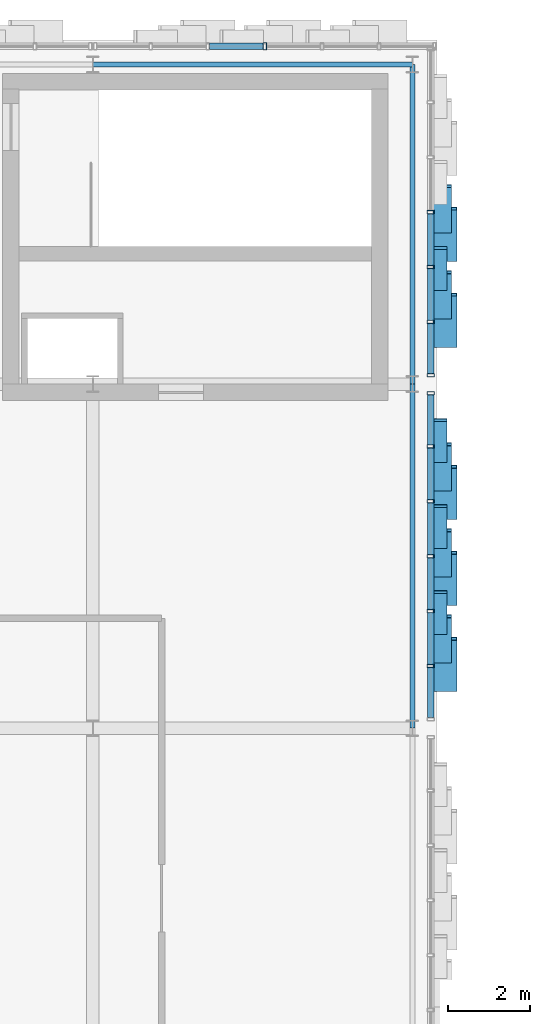
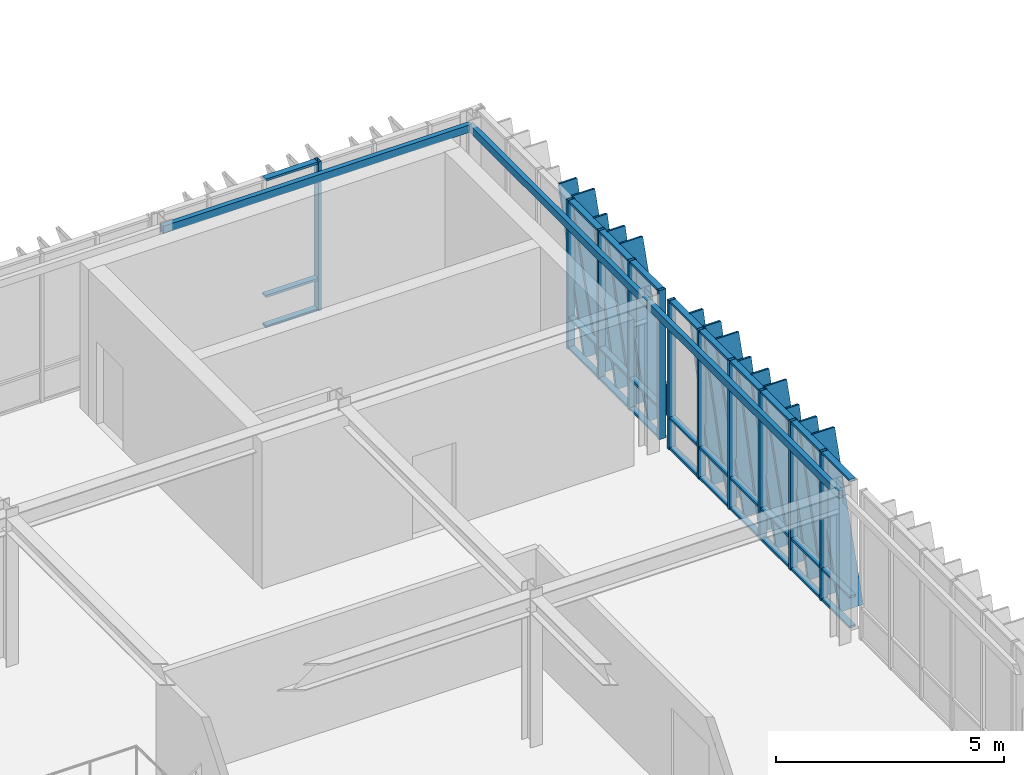
# One storey, part 63 of 123: 55 members, 3 beams, 3 elements without a shape of their own.
"""IFC4 building model written with IfcOpenShell, lengths in metres."""

from ifc_helpers import new_model, si_unit, direction, frame, origin, origin_2d, place, context, subcontext, project, spatial, hollow_rectangle, extrude, material, layer, layer_set, material_profile, profile_set, type_object, element, aggregate, save


model = new_model("IFC4")

# Units and contexts
model_context = context("Model", 3, precision=1e-05, world=origin(), true_north=direction((0.0, 1.0)))
body_context = subcontext(model_context, "Body", "Model", "MODEL_VIEW")
ifc_project = project(units=[si_unit("LENGTHUNIT", "METRE"), si_unit("AREAUNIT", "SQUARE_METRE"), si_unit("VOLUMEUNIT", "CUBIC_METRE"), si_unit("PLANEANGLEUNIT", "RADIAN"), si_unit("MASSUNIT", "GRAM", prefix="KILO")], contexts=[model_context])

# Site, building, storey
site_placement = place(None, origin())
site = spatial("IfcSite", under=ifc_project, at=site_placement, CompositionType="ELEMENT")
building_placement = place(site_placement, origin())
building = spatial("IfcBuilding", under=site, at=building_placement, Name="Zayran Congress Hotel", CompositionType="ELEMENT")
storey_placement = place(building_placement, frame((0.0, 0.0, 15.0)))
storey = spatial("IfcBuildingStorey", under=building, at=storey_placement, Name="L03", CompositionType="ELEMENT", Elevation=15.0)

# Beams
ifc_material_1 = material(Name="Steel S355", Category="steel")
ifc_material_profile_1 = material_profile(ifc_material_1, hollow_rectangle(XDim=0.1201171875, YDim=0.199951171875, WallThickness=0.008056640625, at=origin_2d()), Name="RHS 200x120x8")
ifc_profile_set_1 = profile_set([ifc_material_profile_1], Name="Steel S355")
beam_type = type_object("IfcBeamType", Name="TP-SP-02", PredefinedType="SPANDREL", material=ifc_profile_set_1)
beam_1_placement = place(storey_placement, frame((84.0, 117.39990234375, 3.8798828125), z_axis=(1.0, 0.0, 0.0), x_axis=(0.0, 1.0, 0.0)))
element("IfcBeam", 1, at=beam_1_placement, inside=storey, type_object=beam_type, Name="BM-V1-L03-0848", PredefinedType="SPANDREL", context=body_context, shape_type="SweptSolid", body=[
    extrude(hollow_rectangle(XDim=0.1201171875, YDim=0.199951171875, WallThickness=0.008056640625, at=origin_2d()), origin(), (0.0, 0.0, 1.0), 7.800048828125),
])
beam_2_placement = place(storey_placement, frame((91.800048828125, 101.199951171875, 3.8798828125), z_axis=(0.0, 1.0, 0.0), x_axis=(-1.0, 0.0, 0.0)))
element("IfcBeam", 2, at=beam_2_placement, inside=storey, type_object=beam_type, Name="BM-V1-L03-0894", PredefinedType="SPANDREL", context=body_context, shape_type="SweptSolid", body=[
    extrude(hollow_rectangle(XDim=0.1201171875, YDim=0.199951171875, WallThickness=0.008056640625, at=origin_2d()), origin(), (0.0, 0.0, 1.0), 8.400146484375),
])
beam_3_placement = place(storey_placement, frame((91.800048828125, 109.60009765625, 3.8798828125), z_axis=(0.0, 1.0, 0.0), x_axis=(-1.0, 0.0, 0.0)))
element("IfcBeam", 3, at=beam_3_placement, inside=storey, type_object=beam_type, Name="BM-V1-L03-0895", PredefinedType="SPANDREL", context=body_context, shape_type="SweptSolid", body=[
    extrude(hollow_rectangle(XDim=0.1201171875, YDim=0.199951171875, WallThickness=0.008056640625, at=origin_2d()), origin(), (0.0, 0.0, 1.0), 7.7998046875),
])

# Curtain wall, member
ifc_material_2 = material(Name="Anodised aluminium and low-E insulated glass", Category="aluminium")
ifc_layer_1 = layer(ifc_material_2, 0.179931640625)
ifc_layer_set_1 = layer_set([ifc_layer_1], Name="Anodised aluminium and low-E insulated glass")
curtain_wall_type_1 = type_object("IfcCurtainWallType", Name="CW-V1N-L03-CW-21-8360-3980", PredefinedType="USERDEFINED", material=ifc_layer_set_1)
curtain_wall_1_placement = place(storey_placement, origin())
curtain_wall_1 = element("IfcCurtainWall", 4, at=curtain_wall_1_placement, inside=storey, type_object=curtain_wall_type_1, Name="CW-V1N-L03-9", ObjectType="CURTAIN WALL", PredefinedType="USERDEFINED")
ifc_material_3 = material(Name="Anodised aluminium framing", Category="aluminium")
ifc_material_profile_2 = material_profile(ifc_material_3, hollow_rectangle(XDim=0.080078125, YDim=0.179931640625, WallThickness=0.0048828125, at=origin_2d()), Name="RHS 180x80x5")
ifc_profile_set_2 = profile_set([ifc_material_profile_2], Name="Anodised aluminium framing")
member_type_1 = type_object("IfcMemberType", Name="TP-CWM-01", PredefinedType="MULLION", material=ifc_profile_set_2)
member_1_placement = place(storey_placement, frame((88.199951171875, 117.85009765625, 0.0), z_axis=(0.0, 0.0, 1.0), x_axis=(1.0, 0.0, 0.0)))
member_1 = element("IfcMember", 5, at=member_1_placement, type_object=member_type_1, Name="CW-V1N-L03-9-M03", PredefinedType="MULLION", context=body_context, shape_type="SweptSolid", body=[
    extrude(hollow_rectangle(XDim=0.080078125, YDim=0.179931640625, WallThickness=0.0048828125, at=origin_2d()), origin(), (0.0, 0.0, 1.0), 3.97998046875),
])

# Curtain wall, members
ifc_layer_2 = layer(ifc_material_2, 0.179931640625)
ifc_layer_set_2 = layer_set([ifc_layer_2], Name="Anodised aluminium and low-E insulated glass")
curtain_wall_type_2 = type_object("IfcCurtainWallType", Name="CW-V1E-L03-CW-41-8040-3980", PredefinedType="USERDEFINED", material=ifc_layer_set_2)
curtain_wall_2_placement = place(storey_placement, origin())
curtain_wall_2 = element("IfcCurtainWall", 6, at=curtain_wall_2_placement, inside=storey, type_object=curtain_wall_type_2, Name="CW-V1E-L03-4", ObjectType="CURTAIN WALL", PredefinedType="USERDEFINED")
member_2_placement = place(storey_placement, frame((92.25, 102.719970703125, 0.0), z_axis=(0.0, 0.0, 1.0), x_axis=(0.0, 1.0, 0.0)))
member_2 = element("IfcMember", 7, at=member_2_placement, type_object=member_type_1, Name="CW-V1E-L03-4-M01", PredefinedType="MULLION", context=body_context, shape_type="SweptSolid", body=[
    extrude(hollow_rectangle(XDim=0.080078125, YDim=0.179931640625, WallThickness=0.0048828125, at=origin_2d()), origin(), (0.0, 0.0, 1.0), 3.97998046875),
])
member_3_placement = place(storey_placement, frame((92.25, 104.06005859375, 0.0), z_axis=(0.0, 0.0, 1.0), x_axis=(0.0, 1.0, 0.0)))
member_3 = element("IfcMember", 8, at=member_3_placement, type_object=member_type_1, Name="CW-V1E-L03-4-M02", PredefinedType="MULLION", context=body_context, shape_type="SweptSolid", body=[
    extrude(hollow_rectangle(XDim=0.080078125, YDim=0.179931640625, WallThickness=0.0048828125, at=origin_2d()), origin(), (0.0, 0.0, 1.0), 3.97998046875),
])
member_4_placement = place(storey_placement, frame((92.25, 105.39990234375, 0.0), z_axis=(0.0, 0.0, 1.0), x_axis=(0.0, 1.0, 0.0)))
member_4 = element("IfcMember", 9, at=member_4_placement, type_object=member_type_1, Name="CW-V1E-L03-4-M03", PredefinedType="MULLION", context=body_context, shape_type="SweptSolid", body=[
    extrude(hollow_rectangle(XDim=0.080078125, YDim=0.179931640625, WallThickness=0.0048828125, at=origin_2d()), origin(), (0.0, 0.0, 1.0), 3.97998046875),
])
member_5_placement = place(storey_placement, frame((92.25, 106.739990234375, 0.0), z_axis=(0.0, 0.0, 1.0), x_axis=(0.0, 1.0, 0.0)))
member_5 = element("IfcMember", 10, at=member_5_placement, type_object=member_type_1, Name="CW-V1E-L03-4-M04", PredefinedType="MULLION", context=body_context, shape_type="SweptSolid", body=[
    extrude(hollow_rectangle(XDim=0.080078125, YDim=0.179931640625, WallThickness=0.0048828125, at=origin_2d()), origin(), (0.0, 0.0, 1.0), 3.97998046875),
])
member_6_placement = place(storey_placement, frame((92.25, 108.080078125, 0.0), z_axis=(0.0, 0.0, 1.0), x_axis=(0.0, 1.0, 0.0)))
member_6 = element("IfcMember", 11, at=member_6_placement, type_object=member_type_1, Name="CW-V1E-L03-4-M05", PredefinedType="MULLION", context=body_context, shape_type="SweptSolid", body=[
    extrude(hollow_rectangle(XDim=0.080078125, YDim=0.179931640625, WallThickness=0.0048828125, at=origin_2d()), origin(), (0.0, 0.0, 1.0), 3.97998046875),
])
member_7_placement = place(storey_placement, frame((92.25, 109.3798828125, 0.0), z_axis=(0.0, 0.0, 1.0), x_axis=(0.0, 1.0, 0.0)))
member_7 = element("IfcMember", 12, at=member_7_placement, type_object=member_type_1, Name="CW-V1E-L03-4-M06", PredefinedType="MULLION", context=body_context, shape_type="SweptSolid", body=[
    extrude(hollow_rectangle(XDim=0.080078125, YDim=0.179931640625, WallThickness=0.0048828125, at=origin_2d()), origin(), (0.0, 0.0, 1.0), 3.97998046875),
])

ifc_layer_3 = layer(ifc_material_2, 0.179931640625)
ifc_layer_set_3 = layer_set([ifc_layer_3], Name="Anodised aluminium and low-E insulated glass")
curtain_wall_type_3 = type_object("IfcCurtainWallType", Name="CW-V1E-L03-CW-42-8040-3980", PredefinedType="USERDEFINED", material=ifc_layer_set_3)
curtain_wall_3_placement = place(storey_placement, origin())
curtain_wall_3 = element("IfcCurtainWall", 13, at=curtain_wall_3_placement, inside=storey, type_object=curtain_wall_type_3, Name="CW-V1E-L03-5", ObjectType="CURTAIN WALL", PredefinedType="USERDEFINED")
member_8_placement = place(storey_placement, frame((92.25, 109.820068359375, 0.0), z_axis=(0.0, 0.0, 1.0), x_axis=(0.0, 1.0, 0.0)))
member_8 = element("IfcMember", 14, at=member_8_placement, type_object=member_type_1, Name="CW-V1E-L03-5-M00", PredefinedType="MULLION", context=body_context, shape_type="SweptSolid", body=[
    extrude(hollow_rectangle(XDim=0.080078125, YDim=0.179931640625, WallThickness=0.0048828125, at=origin_2d()), origin(), (0.0, 0.0, 1.0), 3.97998046875),
])
member_9_placement = place(storey_placement, frame((92.25, 111.1201171875, 0.0), z_axis=(0.0, 0.0, 1.0), x_axis=(0.0, 1.0, 0.0)))
member_9 = element("IfcMember", 15, at=member_9_placement, type_object=member_type_1, Name="CW-V1E-L03-5-M01", PredefinedType="MULLION", context=body_context, shape_type="SweptSolid", body=[
    extrude(hollow_rectangle(XDim=0.080078125, YDim=0.179931640625, WallThickness=0.0048828125, at=origin_2d()), origin(), (0.0, 0.0, 1.0), 3.97998046875),
])
member_10_placement = place(storey_placement, frame((92.25, 112.4599609375, 0.0), z_axis=(0.0, 0.0, 1.0), x_axis=(0.0, 1.0, 0.0)))
member_10 = element("IfcMember", 16, at=member_10_placement, type_object=member_type_1, Name="CW-V1E-L03-5-M02", PredefinedType="MULLION", context=body_context, shape_type="SweptSolid", body=[
    extrude(hollow_rectangle(XDim=0.080078125, YDim=0.179931640625, WallThickness=0.0048828125, at=origin_2d()), origin(), (0.0, 0.0, 1.0), 3.97998046875),
])
member_11_placement = place(storey_placement, frame((92.25, 113.800048828125, 0.0), z_axis=(0.0, 0.0, 1.0), x_axis=(0.0, 1.0, 0.0)))
member_11 = element("IfcMember", 17, at=member_11_placement, type_object=member_type_1, Name="CW-V1E-L03-5-M03", PredefinedType="MULLION", context=body_context, shape_type="SweptSolid", body=[
    extrude(hollow_rectangle(XDim=0.080078125, YDim=0.179931640625, WallThickness=0.0048828125, at=origin_2d()), origin(), (0.0, 0.0, 1.0), 3.97998046875),
])

# Member
ifc_material_profile_3 = material_profile(ifc_material_3, hollow_rectangle(XDim=0.06005859375, YDim=0.14990234375, WallThickness=0.00390625, at=origin_2d()), Name="RHS 150x60x4")
ifc_profile_set_3 = profile_set([ifc_material_profile_3], Name="Anodised aluminium framing")
member_type_2 = type_object("IfcMemberType", Name="TP-CWT-01", PredefinedType="USERDEFINED", material=ifc_profile_set_3)
member_12_placement = place(storey_placement, frame((88.159912109375, 117.85009765625, 0.030029296875), z_axis=(-1.0, 0.0, 0.0), x_axis=(0.0, 0.0, 1.0)))
member_12 = element("IfcMember", 18, at=member_12_placement, type_object=member_type_2, Name="CW-V1N-L03-9-T03-0", ObjectType="TRANSOM", PredefinedType="USERDEFINED", context=body_context, shape_type="SweptSolid", body=[
    extrude(hollow_rectangle(XDim=0.06005859375, YDim=0.14990234375, WallThickness=0.00390625, at=origin_2d()), origin(), (0.0, 0.0, 1.0), 1.313232421875),
])

member_13_placement = place(storey_placement, frame((88.159912109375, 117.85009765625, 0.840087890625), z_axis=(-1.0, 0.0, 0.0), x_axis=(0.0, 0.0, 1.0)))
member_13 = element("IfcMember", 19, at=member_13_placement, type_object=member_type_2, Name="CW-V1N-L03-9-T03-1", ObjectType="TRANSOM", PredefinedType="USERDEFINED", context=body_context, shape_type="SweptSolid", body=[
    extrude(hollow_rectangle(XDim=0.06005859375, YDim=0.14990234375, WallThickness=0.00390625, at=origin_2d()), origin(), (0.0, 0.0, 1.0), 1.313232421875),
])

member_14_placement = place(storey_placement, frame((88.159912109375, 117.85009765625, 3.949951171875), z_axis=(-1.0, 0.0, 0.0), x_axis=(0.0, 0.0, 1.0)))
member_14 = element("IfcMember", 20, at=member_14_placement, type_object=member_type_2, Name="CW-V1N-L03-9-T03-2", ObjectType="TRANSOM", PredefinedType="USERDEFINED", context=body_context, shape_type="SweptSolid", body=[
    extrude(hollow_rectangle(XDim=0.06005859375, YDim=0.14990234375, WallThickness=0.00390625, at=origin_2d()), origin(), (0.0, 0.0, 1.0), 1.313232421875),
])

aggregate(curtain_wall_1, [member_1, member_12, member_13, member_14])

member_15_placement = place(storey_placement, frame((92.25, 101.4599609375, 0.030029296875), z_axis=(0.0, 1.0, 0.0), x_axis=(0.0, 0.0, 1.0)))
member_15 = element("IfcMember", 21, at=member_15_placement, type_object=member_type_2, Name="CW-V1E-L03-4-T00-0", ObjectType="TRANSOM", PredefinedType="USERDEFINED", context=body_context, shape_type="SweptSolid", body=[
    extrude(hollow_rectangle(XDim=0.06005859375, YDim=0.14990234375, WallThickness=0.00390625, at=origin_2d()), origin(), (0.0, 0.0, 1.0), 1.219970703125),
])

member_16_placement = place(storey_placement, frame((92.25, 101.4599609375, 0.840087890625), z_axis=(0.0, 1.0, 0.0), x_axis=(0.0, 0.0, 1.0)))
member_16 = element("IfcMember", 22, at=member_16_placement, type_object=member_type_2, Name="CW-V1E-L03-4-T00-1", ObjectType="TRANSOM", PredefinedType="USERDEFINED", context=body_context, shape_type="SweptSolid", body=[
    extrude(hollow_rectangle(XDim=0.06005859375, YDim=0.14990234375, WallThickness=0.00390625, at=origin_2d()), origin(), (0.0, 0.0, 1.0), 1.219970703125),
])

member_17_placement = place(storey_placement, frame((92.25, 101.4599609375, 3.949951171875), z_axis=(0.0, 1.0, 0.0), x_axis=(0.0, 0.0, 1.0)))
member_17 = element("IfcMember", 23, at=member_17_placement, type_object=member_type_2, Name="CW-V1E-L03-4-T00-2", ObjectType="TRANSOM", PredefinedType="USERDEFINED", context=body_context, shape_type="SweptSolid", body=[
    extrude(hollow_rectangle(XDim=0.06005859375, YDim=0.14990234375, WallThickness=0.00390625, at=origin_2d()), origin(), (0.0, 0.0, 1.0), 1.219970703125),
])

member_18_placement = place(storey_placement, frame((92.25, 102.760009765625, 0.030029296875), z_axis=(0.0, 1.0, 0.0), x_axis=(0.0, 0.0, 1.0)))
member_18 = element("IfcMember", 24, at=member_18_placement, type_object=member_type_2, Name="CW-V1E-L03-4-T01-0", ObjectType="TRANSOM", PredefinedType="USERDEFINED", context=body_context, shape_type="SweptSolid", body=[
    extrude(hollow_rectangle(XDim=0.06005859375, YDim=0.14990234375, WallThickness=0.00390625, at=origin_2d()), origin(), (0.0, 0.0, 1.0), 1.260009765625),
])

member_19_placement = place(storey_placement, frame((92.25, 102.760009765625, 0.840087890625), z_axis=(0.0, 1.0, 0.0), x_axis=(0.0, 0.0, 1.0)))
member_19 = element("IfcMember", 25, at=member_19_placement, type_object=member_type_2, Name="CW-V1E-L03-4-T01-1", ObjectType="TRANSOM", PredefinedType="USERDEFINED", context=body_context, shape_type="SweptSolid", body=[
    extrude(hollow_rectangle(XDim=0.06005859375, YDim=0.14990234375, WallThickness=0.00390625, at=origin_2d()), origin(), (0.0, 0.0, 1.0), 1.260009765625),
])

member_20_placement = place(storey_placement, frame((92.25, 102.760009765625, 3.949951171875), z_axis=(0.0, 1.0, 0.0), x_axis=(0.0, 0.0, 1.0)))
member_20 = element("IfcMember", 26, at=member_20_placement, type_object=member_type_2, Name="CW-V1E-L03-4-T01-2", ObjectType="TRANSOM", PredefinedType="USERDEFINED", context=body_context, shape_type="SweptSolid", body=[
    extrude(hollow_rectangle(XDim=0.06005859375, YDim=0.14990234375, WallThickness=0.00390625, at=origin_2d()), origin(), (0.0, 0.0, 1.0), 1.260009765625),
])

member_21_placement = place(storey_placement, frame((92.25, 104.10009765625, 0.030029296875), z_axis=(0.0, 1.0, 0.0), x_axis=(0.0, 0.0, 1.0)))
member_21 = element("IfcMember", 27, at=member_21_placement, type_object=member_type_2, Name="CW-V1E-L03-4-T02-0", ObjectType="TRANSOM", PredefinedType="USERDEFINED", context=body_context, shape_type="SweptSolid", body=[
    extrude(hollow_rectangle(XDim=0.06005859375, YDim=0.14990234375, WallThickness=0.00390625, at=origin_2d()), origin(), (0.0, 0.0, 1.0), 1.260009765625),
])

member_22_placement = place(storey_placement, frame((92.25, 104.10009765625, 0.840087890625), z_axis=(0.0, 1.0, 0.0), x_axis=(0.0, 0.0, 1.0)))
member_22 = element("IfcMember", 28, at=member_22_placement, type_object=member_type_2, Name="CW-V1E-L03-4-T02-1", ObjectType="TRANSOM", PredefinedType="USERDEFINED", context=body_context, shape_type="SweptSolid", body=[
    extrude(hollow_rectangle(XDim=0.06005859375, YDim=0.14990234375, WallThickness=0.00390625, at=origin_2d()), origin(), (0.0, 0.0, 1.0), 1.260009765625),
])

member_23_placement = place(storey_placement, frame((92.25, 104.10009765625, 3.949951171875), z_axis=(0.0, 1.0, 0.0), x_axis=(0.0, 0.0, 1.0)))
member_23 = element("IfcMember", 29, at=member_23_placement, type_object=member_type_2, Name="CW-V1E-L03-4-T02-2", ObjectType="TRANSOM", PredefinedType="USERDEFINED", context=body_context, shape_type="SweptSolid", body=[
    extrude(hollow_rectangle(XDim=0.06005859375, YDim=0.14990234375, WallThickness=0.00390625, at=origin_2d()), origin(), (0.0, 0.0, 1.0), 1.260009765625),
])

member_24_placement = place(storey_placement, frame((92.25, 105.43994140625, 0.030029296875), z_axis=(0.0, 1.0, 0.0), x_axis=(0.0, 0.0, 1.0)))
member_24 = element("IfcMember", 30, at=member_24_placement, type_object=member_type_2, Name="CW-V1E-L03-4-T03-0", ObjectType="TRANSOM", PredefinedType="USERDEFINED", context=body_context, shape_type="SweptSolid", body=[
    extrude(hollow_rectangle(XDim=0.06005859375, YDim=0.14990234375, WallThickness=0.00390625, at=origin_2d()), origin(), (0.0, 0.0, 1.0), 1.260009765625),
])

member_25_placement = place(storey_placement, frame((92.25, 105.43994140625, 0.840087890625), z_axis=(0.0, 1.0, 0.0), x_axis=(0.0, 0.0, 1.0)))
member_25 = element("IfcMember", 31, at=member_25_placement, type_object=member_type_2, Name="CW-V1E-L03-4-T03-1", ObjectType="TRANSOM", PredefinedType="USERDEFINED", context=body_context, shape_type="SweptSolid", body=[
    extrude(hollow_rectangle(XDim=0.06005859375, YDim=0.14990234375, WallThickness=0.00390625, at=origin_2d()), origin(), (0.0, 0.0, 1.0), 1.260009765625),
])

member_26_placement = place(storey_placement, frame((92.25, 105.43994140625, 3.949951171875), z_axis=(0.0, 1.0, 0.0), x_axis=(0.0, 0.0, 1.0)))
member_26 = element("IfcMember", 32, at=member_26_placement, type_object=member_type_2, Name="CW-V1E-L03-4-T03-2", ObjectType="TRANSOM", PredefinedType="USERDEFINED", context=body_context, shape_type="SweptSolid", body=[
    extrude(hollow_rectangle(XDim=0.06005859375, YDim=0.14990234375, WallThickness=0.00390625, at=origin_2d()), origin(), (0.0, 0.0, 1.0), 1.260009765625),
])

member_27_placement = place(storey_placement, frame((92.25, 106.780029296875, 0.030029296875), z_axis=(0.0, 1.0, 0.0), x_axis=(0.0, 0.0, 1.0)))
member_27 = element("IfcMember", 33, at=member_27_placement, type_object=member_type_2, Name="CW-V1E-L03-4-T04-0", ObjectType="TRANSOM", PredefinedType="USERDEFINED", context=body_context, shape_type="SweptSolid", body=[
    extrude(hollow_rectangle(XDim=0.06005859375, YDim=0.14990234375, WallThickness=0.00390625, at=origin_2d()), origin(), (0.0, 0.0, 1.0), 1.260009765625),
])

member_28_placement = place(storey_placement, frame((92.25, 106.780029296875, 0.840087890625), z_axis=(0.0, 1.0, 0.0), x_axis=(0.0, 0.0, 1.0)))
member_28 = element("IfcMember", 34, at=member_28_placement, type_object=member_type_2, Name="CW-V1E-L03-4-T04-1", ObjectType="TRANSOM", PredefinedType="USERDEFINED", context=body_context, shape_type="SweptSolid", body=[
    extrude(hollow_rectangle(XDim=0.06005859375, YDim=0.14990234375, WallThickness=0.00390625, at=origin_2d()), origin(), (0.0, 0.0, 1.0), 1.260009765625),
])

member_29_placement = place(storey_placement, frame((92.25, 106.780029296875, 3.949951171875), z_axis=(0.0, 1.0, 0.0), x_axis=(0.0, 0.0, 1.0)))
member_29 = element("IfcMember", 35, at=member_29_placement, type_object=member_type_2, Name="CW-V1E-L03-4-T04-2", ObjectType="TRANSOM", PredefinedType="USERDEFINED", context=body_context, shape_type="SweptSolid", body=[
    extrude(hollow_rectangle(XDim=0.06005859375, YDim=0.14990234375, WallThickness=0.00390625, at=origin_2d()), origin(), (0.0, 0.0, 1.0), 1.260009765625),
])

member_30_placement = place(storey_placement, frame((92.25, 108.1201171875, 0.030029296875), z_axis=(0.0, 1.0, 0.0), x_axis=(0.0, 0.0, 1.0)))
member_30 = element("IfcMember", 36, at=member_30_placement, type_object=member_type_2, Name="CW-V1E-L03-4-T05-0", ObjectType="TRANSOM", PredefinedType="USERDEFINED", context=body_context, shape_type="SweptSolid", body=[
    extrude(hollow_rectangle(XDim=0.06005859375, YDim=0.14990234375, WallThickness=0.00390625, at=origin_2d()), origin(), (0.0, 0.0, 1.0), 1.219970703125),
])

member_31_placement = place(storey_placement, frame((92.25, 108.1201171875, 0.840087890625), z_axis=(0.0, 1.0, 0.0), x_axis=(0.0, 0.0, 1.0)))
member_31 = element("IfcMember", 37, at=member_31_placement, type_object=member_type_2, Name="CW-V1E-L03-4-T05-1", ObjectType="TRANSOM", PredefinedType="USERDEFINED", context=body_context, shape_type="SweptSolid", body=[
    extrude(hollow_rectangle(XDim=0.06005859375, YDim=0.14990234375, WallThickness=0.00390625, at=origin_2d()), origin(), (0.0, 0.0, 1.0), 1.219970703125),
])

member_32_placement = place(storey_placement, frame((92.25, 108.1201171875, 3.949951171875), z_axis=(0.0, 1.0, 0.0), x_axis=(0.0, 0.0, 1.0)))
member_32 = element("IfcMember", 38, at=member_32_placement, type_object=member_type_2, Name="CW-V1E-L03-4-T05-2", ObjectType="TRANSOM", PredefinedType="USERDEFINED", context=body_context, shape_type="SweptSolid", body=[
    extrude(hollow_rectangle(XDim=0.06005859375, YDim=0.14990234375, WallThickness=0.00390625, at=origin_2d()), origin(), (0.0, 0.0, 1.0), 1.219970703125),
])

member_33_placement = place(storey_placement, frame((92.25, 109.860107421875, 0.030029296875), z_axis=(0.0, 1.0, 0.0), x_axis=(0.0, 0.0, 1.0)))
member_33 = element("IfcMember", 39, at=member_33_placement, type_object=member_type_2, Name="CW-V1E-L03-5-T00-0", ObjectType="TRANSOM", PredefinedType="USERDEFINED", context=body_context, shape_type="SweptSolid", body=[
    extrude(hollow_rectangle(XDim=0.06005859375, YDim=0.14990234375, WallThickness=0.00390625, at=origin_2d()), origin(), (0.0, 0.0, 1.0), 1.219970703125),
])

member_34_placement = place(storey_placement, frame((92.25, 109.860107421875, 0.840087890625), z_axis=(0.0, 1.0, 0.0), x_axis=(0.0, 0.0, 1.0)))
member_34 = element("IfcMember", 40, at=member_34_placement, type_object=member_type_2, Name="CW-V1E-L03-5-T00-1", ObjectType="TRANSOM", PredefinedType="USERDEFINED", context=body_context, shape_type="SweptSolid", body=[
    extrude(hollow_rectangle(XDim=0.06005859375, YDim=0.14990234375, WallThickness=0.00390625, at=origin_2d()), origin(), (0.0, 0.0, 1.0), 1.219970703125),
])

member_35_placement = place(storey_placement, frame((92.25, 109.860107421875, 3.949951171875), z_axis=(0.0, 1.0, 0.0), x_axis=(0.0, 0.0, 1.0)))
member_35 = element("IfcMember", 41, at=member_35_placement, type_object=member_type_2, Name="CW-V1E-L03-5-T00-2", ObjectType="TRANSOM", PredefinedType="USERDEFINED", context=body_context, shape_type="SweptSolid", body=[
    extrude(hollow_rectangle(XDim=0.06005859375, YDim=0.14990234375, WallThickness=0.00390625, at=origin_2d()), origin(), (0.0, 0.0, 1.0), 1.219970703125),
])

member_36_placement = place(storey_placement, frame((92.25, 111.159912109375, 0.030029296875), z_axis=(0.0, 1.0, 0.0), x_axis=(0.0, 0.0, 1.0)))
member_36 = element("IfcMember", 42, at=member_36_placement, type_object=member_type_2, Name="CW-V1E-L03-5-T01-0", ObjectType="TRANSOM", PredefinedType="USERDEFINED", context=body_context, shape_type="SweptSolid", body=[
    extrude(hollow_rectangle(XDim=0.06005859375, YDim=0.14990234375, WallThickness=0.00390625, at=origin_2d()), origin(), (0.0, 0.0, 1.0), 1.260009765625),
])

member_37_placement = place(storey_placement, frame((92.25, 111.159912109375, 0.840087890625), z_axis=(0.0, 1.0, 0.0), x_axis=(0.0, 0.0, 1.0)))
member_37 = element("IfcMember", 43, at=member_37_placement, type_object=member_type_2, Name="CW-V1E-L03-5-T01-1", ObjectType="TRANSOM", PredefinedType="USERDEFINED", context=body_context, shape_type="SweptSolid", body=[
    extrude(hollow_rectangle(XDim=0.06005859375, YDim=0.14990234375, WallThickness=0.00390625, at=origin_2d()), origin(), (0.0, 0.0, 1.0), 1.260009765625),
])

member_38_placement = place(storey_placement, frame((92.25, 111.159912109375, 3.949951171875), z_axis=(0.0, 1.0, 0.0), x_axis=(0.0, 0.0, 1.0)))
member_38 = element("IfcMember", 44, at=member_38_placement, type_object=member_type_2, Name="CW-V1E-L03-5-T01-2", ObjectType="TRANSOM", PredefinedType="USERDEFINED", context=body_context, shape_type="SweptSolid", body=[
    extrude(hollow_rectangle(XDim=0.06005859375, YDim=0.14990234375, WallThickness=0.00390625, at=origin_2d()), origin(), (0.0, 0.0, 1.0), 1.260009765625),
])

member_39_placement = place(storey_placement, frame((92.25, 112.5, 0.030029296875), z_axis=(0.0, 1.0, 0.0), x_axis=(0.0, 0.0, 1.0)))
member_39 = element("IfcMember", 45, at=member_39_placement, type_object=member_type_2, Name="CW-V1E-L03-5-T02-0", ObjectType="TRANSOM", PredefinedType="USERDEFINED", context=body_context, shape_type="SweptSolid", body=[
    extrude(hollow_rectangle(XDim=0.06005859375, YDim=0.14990234375, WallThickness=0.00390625, at=origin_2d()), origin(), (0.0, 0.0, 1.0), 1.260009765625),
])

member_40_placement = place(storey_placement, frame((92.25, 112.5, 0.840087890625), z_axis=(0.0, 1.0, 0.0), x_axis=(0.0, 0.0, 1.0)))
member_40 = element("IfcMember", 46, at=member_40_placement, type_object=member_type_2, Name="CW-V1E-L03-5-T02-1", ObjectType="TRANSOM", PredefinedType="USERDEFINED", context=body_context, shape_type="SweptSolid", body=[
    extrude(hollow_rectangle(XDim=0.06005859375, YDim=0.14990234375, WallThickness=0.00390625, at=origin_2d()), origin(), (0.0, 0.0, 1.0), 1.260009765625),
])

member_41_placement = place(storey_placement, frame((92.25, 112.5, 3.949951171875), z_axis=(0.0, 1.0, 0.0), x_axis=(0.0, 0.0, 1.0)))
member_41 = element("IfcMember", 47, at=member_41_placement, type_object=member_type_2, Name="CW-V1E-L03-5-T02-2", ObjectType="TRANSOM", PredefinedType="USERDEFINED", context=body_context, shape_type="SweptSolid", body=[
    extrude(hollow_rectangle(XDim=0.06005859375, YDim=0.14990234375, WallThickness=0.00390625, at=origin_2d()), origin(), (0.0, 0.0, 1.0), 1.260009765625),
])

ifc_material_4 = material(Name="Warm bronze anodised aluminium", Category="aluminium")
ifc_material_profile_4 = material_profile(ifc_material_4, hollow_rectangle(XDim=0.080078125, YDim=0.580078125, WallThickness=0.006103515625, at=origin_2d()), Name="RHS 580x80x6")
ifc_profile_set_4 = profile_set([ifc_material_profile_4], Name="Warm bronze anodised aluminium")
member_type_3 = type_object("IfcMemberType", Name="TP-RFN-01", PredefinedType="MULLION", material=ifc_profile_set_4)
member_42_placement = place(storey_placement, frame((92.60009765625, 102.1298828125, 0.0), z_axis=(0.0, 0.30075896552, 0.953700185939), x_axis=(0.0, -0.953700185939, 0.30075896552)))
member_42 = element("IfcMember", 48, at=member_42_placement, type_object=member_type_3, Name="Slanting Reed Mullion CW-41-01", PredefinedType="MULLION", context=body_context, shape_type="SweptSolid", body=[
    extrude(hollow_rectangle(XDim=0.080078125, YDim=0.580078125, WallThickness=0.006103515625, at=origin_2d()), origin(), (0.0, 0.0, 1.0), 4.173095703125),
])

member_43_placement = place(storey_placement, frame((92.60009765625, 104.22998046875, 0.0), z_axis=(0.0, 0.300705753938, 0.953716965115), x_axis=(0.0, -0.953716965115, 0.300705753938)))
member_43 = element("IfcMember", 49, at=member_43_placement, type_object=member_type_3, Name="Slanting Reed Mullion CW-41-04", PredefinedType="MULLION", context=body_context, shape_type="SweptSolid", body=[
    extrude(hollow_rectangle(XDim=0.080078125, YDim=0.580078125, WallThickness=0.006103515625, at=origin_2d()), origin(), (0.0, 0.0, 1.0), 4.173095703125),
])

member_44_placement = place(storey_placement, frame((92.60009765625, 106.330078125, 0.0), z_axis=(0.0, 0.300705753938, 0.953716965115), x_axis=(0.0, -0.953716965115, 0.300705753938)))
member_44 = element("IfcMember", 50, at=member_44_placement, type_object=member_type_3, Name="Slanting Reed Mullion CW-41-07", PredefinedType="MULLION", context=body_context, shape_type="SweptSolid", body=[
    extrude(hollow_rectangle(XDim=0.080078125, YDim=0.580078125, WallThickness=0.006103515625, at=origin_2d()), origin(), (0.0, 0.0, 1.0), 4.173095703125),
])

member_45_placement = place(storey_placement, frame((92.60009765625, 110.530029296875, 0.0), z_axis=(0.0, 0.300705753938, 0.953716965115), x_axis=(0.0, -0.953716965115, 0.300705753938)))
member_45 = element("IfcMember", 51, at=member_45_placement, type_object=member_type_3, Name="Slanting Reed Mullion CW-42-01", PredefinedType="MULLION", context=body_context, shape_type="SweptSolid", body=[
    extrude(hollow_rectangle(XDim=0.080078125, YDim=0.580078125, WallThickness=0.006103515625, at=origin_2d()), origin(), (0.0, 0.0, 1.0), 4.173095703125),
])

member_46_placement = place(storey_placement, frame((92.60009765625, 112.6298828125, 0.0), z_axis=(0.0, 0.30075896552, 0.953700185939), x_axis=(0.0, -0.953700185939, 0.30075896552)))
member_46 = element("IfcMember", 52, at=member_46_placement, type_object=member_type_3, Name="Slanting Reed Mullion CW-42-04", PredefinedType="MULLION", context=body_context, shape_type="SweptSolid", body=[
    extrude(hollow_rectangle(XDim=0.080078125, YDim=0.580078125, WallThickness=0.006103515625, at=origin_2d()), origin(), (0.0, 0.0, 1.0), 4.173095703125),
])

ifc_material_profile_5 = material_profile(ifc_material_4, hollow_rectangle(XDim=0.080078125, YDim=0.449951171875, WallThickness=0.006103515625, at=origin_2d()), Name="RHS 450x80x6")
ifc_profile_set_5 = profile_set([ifc_material_profile_5], Name="Warm bronze anodised aluminium")
member_type_4 = type_object("IfcMemberType", Name="TP-RFN-02", PredefinedType="MULLION", material=ifc_profile_set_5)
member_47_placement = place(storey_placement, frame((92.534912109375, 102.830078125, 0.0), z_axis=(0.0, 0.267241410526, 0.963629611677), x_axis=(0.0, -0.963629611677, 0.267241410526)))
member_47 = element("IfcMember", 53, at=member_47_placement, type_object=member_type_4, Name="Slanting Reed Mullion CW-41-02", PredefinedType="MULLION", context=body_context, shape_type="SweptSolid", body=[
    extrude(hollow_rectangle(XDim=0.080078125, YDim=0.449951171875, WallThickness=0.006103515625, at=origin_2d()), origin(), (0.0, 0.0, 1.0), 4.130126953125),
])

member_48_placement = place(storey_placement, frame((92.534912109375, 104.929931640625, 0.0), z_axis=(0.0, 0.267241410526, 0.963629611677), x_axis=(0.0, -0.963629611677, 0.267241410526)))
member_48 = element("IfcMember", 54, at=member_48_placement, type_object=member_type_4, Name="Slanting Reed Mullion CW-41-05", PredefinedType="MULLION", context=body_context, shape_type="SweptSolid", body=[
    extrude(hollow_rectangle(XDim=0.080078125, YDim=0.449951171875, WallThickness=0.006103515625, at=origin_2d()), origin(), (0.0, 0.0, 1.0), 4.130126953125),
])

member_49_placement = place(storey_placement, frame((92.534912109375, 107.030029296875, 0.0), z_axis=(0.0, 0.267241410526, 0.963629611677), x_axis=(0.0, -0.963629611677, 0.267241410526)))
member_49 = element("IfcMember", 55, at=member_49_placement, type_object=member_type_4, Name="Slanting Reed Mullion CW-41-08", PredefinedType="MULLION", context=body_context, shape_type="SweptSolid", body=[
    extrude(hollow_rectangle(XDim=0.080078125, YDim=0.449951171875, WallThickness=0.006103515625, at=origin_2d()), origin(), (0.0, 0.0, 1.0), 4.130126953125),
])

member_50_placement = place(storey_placement, frame((92.534912109375, 111.22998046875, 0.0), z_axis=(0.0, 0.267241410526, 0.963629611677), x_axis=(0.0, -0.963629611677, 0.267241410526)))
member_50 = element("IfcMember", 56, at=member_50_placement, type_object=member_type_4, Name="Slanting Reed Mullion CW-42-02", PredefinedType="MULLION", context=body_context, shape_type="SweptSolid", body=[
    extrude(hollow_rectangle(XDim=0.080078125, YDim=0.449951171875, WallThickness=0.006103515625, at=origin_2d()), origin(), (0.0, 0.0, 1.0), 4.130126953125),
])

member_51_placement = place(storey_placement, frame((92.534912109375, 113.330078125, 0.0), z_axis=(0.0, 0.267241410526, 0.963629611677), x_axis=(0.0, -0.963629611677, 0.267241410526)))
member_51 = element("IfcMember", 57, at=member_51_placement, type_object=member_type_4, Name="Slanting Reed Mullion CW-42-05", PredefinedType="MULLION", context=body_context, shape_type="SweptSolid", body=[
    extrude(hollow_rectangle(XDim=0.080078125, YDim=0.449951171875, WallThickness=0.006103515625, at=origin_2d()), origin(), (0.0, 0.0, 1.0), 4.130126953125),
])

ifc_material_profile_6 = material_profile(ifc_material_4, hollow_rectangle(XDim=0.080078125, YDim=0.340087890625, WallThickness=0.006103515625, at=origin_2d()), Name="RHS 340x80x6")
ifc_profile_set_6 = profile_set([ifc_material_profile_6], Name="Warm bronze anodised aluminium")
member_type_5 = type_object("IfcMemberType", Name="TP-RFN-03", PredefinedType="MULLION", material=ifc_profile_set_6)
member_52_placement = place(storey_placement, frame((92.47998046875, 103.530029296875, 0.0), z_axis=(0.0, 0.24189134958, 0.970303341743), x_axis=(0.0, -0.970303341743, 0.24189134958)))
member_52 = element("IfcMember", 58, at=member_52_placement, type_object=member_type_5, Name="Slanting Reed Mullion CW-41-03", PredefinedType="MULLION", context=body_context, shape_type="SweptSolid", body=[
    extrude(hollow_rectangle(XDim=0.080078125, YDim=0.340087890625, WallThickness=0.006103515625, at=origin_2d()), origin(), (0.0, 0.0, 1.0), 4.101806640625),
])

member_53_placement = place(storey_placement, frame((92.47998046875, 105.6298828125, 0.0), z_axis=(0.0, 0.241947386249, 0.970289370388), x_axis=(0.0, -0.970289370388, 0.241947386249)))
member_53 = element("IfcMember", 59, at=member_53_placement, type_object=member_type_5, Name="Slanting Reed Mullion CW-41-06", PredefinedType="MULLION", context=body_context, shape_type="SweptSolid", body=[
    extrude(hollow_rectangle(XDim=0.080078125, YDim=0.340087890625, WallThickness=0.006103515625, at=origin_2d()), origin(), (0.0, 0.0, 1.0), 4.101806640625),
])

member_54_placement = place(storey_placement, frame((92.47998046875, 107.72998046875, 0.0), z_axis=(0.0, 0.241947386249, 0.970289370388), x_axis=(0.0, -0.970289370388, 0.241947386249)))
member_54 = element("IfcMember", 60, at=member_54_placement, type_object=member_type_5, Name="Slanting Reed Mullion CW-41-09", PredefinedType="MULLION", context=body_context, shape_type="SweptSolid", body=[
    extrude(hollow_rectangle(XDim=0.080078125, YDim=0.340087890625, WallThickness=0.006103515625, at=origin_2d()), origin(), (0.0, 0.0, 1.0), 4.101806640625),
])

aggregate(curtain_wall_2, [member_2, member_3, member_4, member_5, member_6, member_7, member_15, member_16, member_17, member_18, member_19, member_20, member_21, member_22, member_23, member_24, member_25, member_26, member_27, member_28, member_29, member_30, member_31, member_32, member_42, member_47, member_52, member_43, member_48, member_53, member_44, member_49, member_54])

member_55_placement = place(storey_placement, frame((92.47998046875, 111.929931640625, 0.0), z_axis=(0.0, 0.241947386249, 0.970289370388), x_axis=(0.0, -0.970289370388, 0.241947386249)))
member_55 = element("IfcMember", 61, at=member_55_placement, type_object=member_type_5, Name="Slanting Reed Mullion CW-42-03", PredefinedType="MULLION", context=body_context, shape_type="SweptSolid", body=[
    extrude(hollow_rectangle(XDim=0.080078125, YDim=0.340087890625, WallThickness=0.006103515625, at=origin_2d()), origin(), (0.0, 0.0, 1.0), 4.101806640625),
])

aggregate(curtain_wall_3, [member_8, member_9, member_10, member_11, member_33, member_34, member_35, member_36, member_37, member_38, member_39, member_40, member_41, member_45, member_50, member_55, member_46, member_51])

save(model, "model.ifc")
